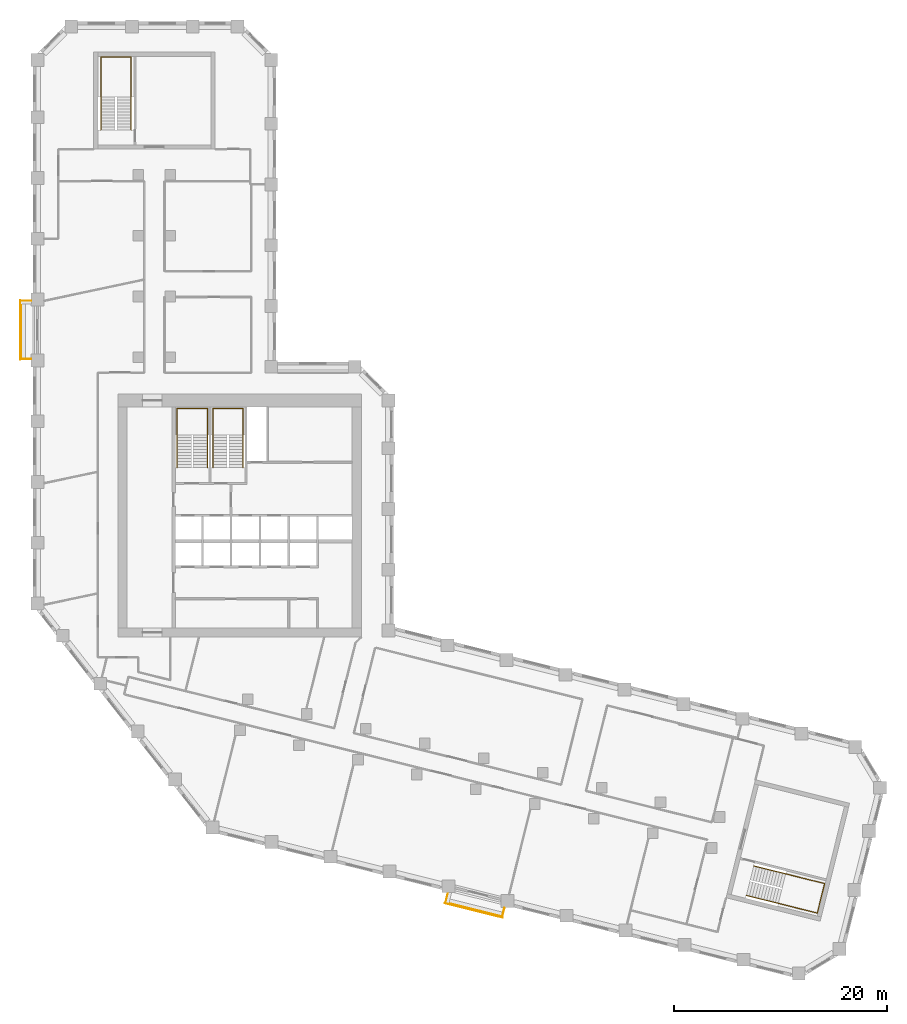
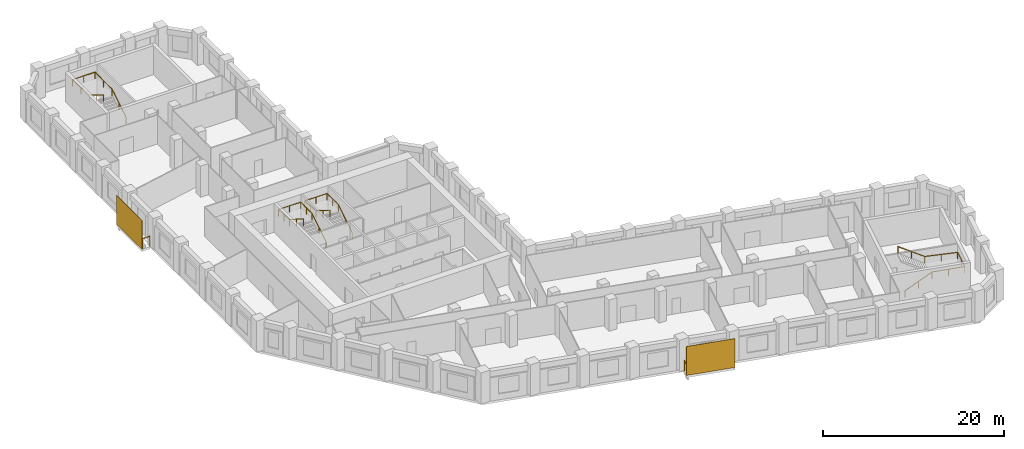
# One storey, part 10 of 10: 6 railings, 2 shading devices.
"""IFC4 building model written with IfcOpenShell, lengths in metres."""

from ifc_helpers import new_model, si_unit, direction, frame, origin, origin_2d, place, context, subcontext, project, spatial, rectangle, circle, extrude, material, layer, layer_set, type_object, element, save


model = new_model("IFC4")

# Units and contexts
model_context = context("Model", 3, precision=1e-05, world=origin(), true_north=direction((0.0, 1.0)))
body_context = subcontext(model_context, "Body", "Model", "MODEL_VIEW")
ifc_project = project(units=[si_unit("LENGTHUNIT", "METRE"), si_unit("AREAUNIT", "SQUARE_METRE"), si_unit("VOLUMEUNIT", "CUBIC_METRE"), si_unit("PLANEANGLEUNIT", "RADIAN"), si_unit("MASSUNIT", "GRAM", prefix="KILO")], contexts=[model_context])

# Site, building, storey
site_placement = place(None, origin())
site = spatial("IfcSite", under=ifc_project, at=site_placement, CompositionType="ELEMENT")
building_placement = place(site_placement, origin())
building = spatial("IfcBuilding", under=site, at=building_placement, Name="Meshkara Civic Tower", CompositionType="ELEMENT")
storey_placement = place(building_placement, frame((0.0, 0.0, 174.0)))
storey = spatial("IfcBuildingStorey", under=building, at=storey_placement, Name="L39", CompositionType="ELEMENT", Elevation=174.0)

# Railings
ifc_material_1 = material(Name="Steel S355", Category="steel")
railing_type_1 = type_object("IfcRailingType", Name="BALUSTRADE GUARD 1400", PredefinedType="BALUSTRADE", material=ifc_material_1)
railing_1_placement = place(storey_placement, frame((-0.14990234375, 45.635009765625, 0.0)))
element("IfcRailing", 1, at=railing_1_placement, inside=storey, type_object=railing_type_1, Name="Balcony guard", PredefinedType="BALUSTRADE", context=body_context, shape_type="SweptSolid", body=[
    extrude(circle(Radius=0.02392578125, at=origin_2d()), frame((0.0, 0.0, 1.3759765625), z_axis=(-1.0, 0.0, 0.0), x_axis=(0.0, -1.0, 0.0)), (0.0, 0.0, 1.0), 0.960205078125),
    extrude(circle(Radius=0.02392578125, at=origin_2d()), frame((-0.960205078125, 0.0, 1.3759765625), z_axis=(0.0, -1.0, 0.0), x_axis=(1.0, 0.0, 0.0)), (0.0, 0.0, 1.0), 5.4599609375),
    extrude(circle(Radius=0.02392578125, at=origin_2d()), frame((-0.960205078125, -5.4599609375, 1.3759765625), z_axis=(1.0, 0.0, 0.0), x_axis=(0.0, 1.0, 0.0)), (0.0, 0.0, 1.0), 0.960205078125),
    extrude(circle(Radius=0.02099609375, at=origin_2d()), origin(), (0.0, 0.0, 1.0), 1.351806640625),
    extrude(circle(Radius=0.02099609375, at=origin_2d()), frame((-0.960205078125, 0.0, 0.0)), (0.0, 0.0, 1.0), 1.351806640625),
    extrude(circle(Radius=0.02099609375, at=origin_2d()), frame((-0.960205078125, -1.092041015625, 0.0)), (0.0, 0.0, 1.0), 1.351806640625),
    extrude(circle(Radius=0.02099609375, at=origin_2d()), frame((-0.960205078125, -2.18408203125, 0.0)), (0.0, 0.0, 1.0), 1.351806640625),
    extrude(circle(Radius=0.02099609375, at=origin_2d()), frame((-0.960205078125, -3.27587890625, 0.0)), (0.0, 0.0, 1.0), 1.351806640625),
    extrude(circle(Radius=0.02099609375, at=origin_2d()), frame((-0.960205078125, -4.367919921875, 0.0)), (0.0, 0.0, 1.0), 1.351806640625),
    extrude(circle(Radius=0.02099609375, at=origin_2d()), frame((-0.960205078125, -5.4599609375, 0.0)), (0.0, 0.0, 1.0), 1.351806640625),
    extrude(circle(Radius=0.02099609375, at=origin_2d()), frame((0.0, -5.4599609375, 0.0)), (0.0, 0.0, 1.0), 1.351806640625),
])
railing_2_placement = place(storey_placement, frame((38.9140625, -9.988037109375, 0.0)))
element("IfcRailing", 2, at=railing_2_placement, inside=storey, type_object=railing_type_1, Name="Balcony guard", PredefinedType="BALUSTRADE", context=body_context, shape_type="SweptSolid", body=[
    extrude(circle(Radius=0.02392578125, at=origin_2d()), frame((0.0, 0.0, 1.3759765625), z_axis=(-0.241638519436, -0.97036633594, 0.0), x_axis=(0.97036633594, -0.241638519436, 0.0)), (0.0, 0.0, 1.0), 0.83251953125),
    extrude(circle(Radius=0.02392578125, at=origin_2d()), frame((-0.201171875, -0.807861328125, 1.3759765625), z_axis=(0.970292231073, -0.24193591366, 0.0), x_axis=(0.24193591366, 0.970292231073, 0.0)), (0.0, 0.0, 1.0), 5.460205078125),
    extrude(circle(Radius=0.02392578125, at=origin_2d()), frame((5.096923828125, -2.12890625, 1.3759765625), z_axis=(0.242466638965, 0.970159744057, 0.0), x_axis=(-0.970159744057, 0.242466638965, 0.0)), (0.0, 0.0, 1.0), 0.832763671875),
    extrude(circle(Radius=0.02099609375, at=origin_2d()), origin(), (0.0, 0.0, 1.0), 1.351806640625),
    extrude(circle(Radius=0.02099609375, at=origin_2d()), frame((-0.201171875, -0.807861328125, 0.0)), (0.0, 0.0, 1.0), 1.351806640625),
    extrude(circle(Radius=0.02099609375, at=origin_2d()), frame((0.8583984375, -1.072021484375, 0.0)), (0.0, 0.0, 1.0), 1.351806640625),
    extrude(circle(Radius=0.02099609375, at=origin_2d()), frame((1.91796875, -1.336181640625, 0.0)), (0.0, 0.0, 1.0), 1.351806640625),
    extrude(circle(Radius=0.02099609375, at=origin_2d()), frame((2.977783203125, -1.6005859375, 0.0)), (0.0, 0.0, 1.0), 1.351806640625),
    extrude(circle(Radius=0.02099609375, at=origin_2d()), frame((4.037353515625, -1.86474609375, 0.0)), (0.0, 0.0, 1.0), 1.351806640625),
    extrude(circle(Radius=0.02099609375, at=origin_2d()), frame((5.096923828125, -2.12890625, 0.0)), (0.0, 0.0, 1.0), 1.351806640625),
    extrude(circle(Radius=0.02099609375, at=origin_2d()), frame((5.298828125, -1.321044921875, 0.0)), (0.0, 0.0, 1.0), 1.351806640625),
])

# Shading devices
ifc_material_2 = material(Name="Perforated bronze anodised aluminium sheet", Category="aluminium")
ifc_layer = layer(ifc_material_2, 0.0400390625)
ifc_layer_set = layer_set([ifc_layer], Name="PERFORATED BRONZE SCREEN")
shading_device_type = type_object("IfcShadingDeviceType", Name="PERFORATED BRONZE SCREEN", PredefinedType="USERDEFINED", material=ifc_layer_set)
for number, where, z_axis, x_axis, name in (
    (3, (-1.179931640625, 42.905029296875, 0.0), (0.0, 0.0, 1.0), (0.0, -1.0, 0.0), "Balcony screen"),
    (4, (41.344970703125, -11.52392578125, 0.0), (0.0, 0.0, 1.0), (0.970299948462, -0.241904960708, 0.0), "Balcony screen"),
):
    element("IfcShadingDevice", number, at=place(storey_placement, frame(where, z_axis=z_axis, x_axis=x_axis)), inside=storey, type_object=shading_device_type, Name=name, ObjectType="SCREEN", PredefinedType="USERDEFINED", context=body_context, shape_type="SweptSolid", body=[
        extrude(rectangle(XDim=5.580078125, YDim=0.0400390625, at=origin_2d()), origin(), (0.0, 0.0, 1.0), 3.89990234375),
    ])

# Railings
ifc_material_3 = material(Name="Steel handrail", Category="steel")
railing_type_2 = type_object("IfcRailingType", Name="Stair handrail 900", PredefinedType="HANDRAIL", material=ifc_material_3)
railing_3_placement = place(storey_placement, frame((16.375, 30.0, 0.175048828125)))
element("IfcRailing", 5, at=railing_3_placement, inside=storey, type_object=railing_type_2, Name="L39 ST1 stair handrail 1", PredefinedType="HANDRAIL", context=body_context, shape_type="SweptSolid", body=[
    extrude(circle(Radius=0.02392578125, at=origin_2d()), frame((0.0, 0.0, 0.8759765625), z_axis=(0.0, 0.847998304005, 0.529998940003), x_axis=(-1.0, 0.0, 0.0)), (0.0, 0.0, 1.0), 3.632080078125),
    extrude(circle(Radius=0.02392578125, at=origin_2d()), frame((0.0, 3.080078125, 2.80078125), z_axis=(0.0, 1.0, 0.0), x_axis=(-1.0, 0.0, 0.0)), (0.0, 0.0, 1.0), 2.469970703125),
    extrude(circle(Radius=0.02392578125, at=origin_2d()), frame((0.0, 5.550048828125, 2.80078125), z_axis=(-1.0, 0.0, 0.0), x_axis=(0.0, -1.0, 0.0)), (0.0, 0.0, 1.0), 2.85009765625),
    extrude(circle(Radius=0.02392578125, at=origin_2d()), frame((-2.85009765625, 5.550048828125, 2.80078125), z_axis=(0.0, -0.997505032726, 0.070595394231), x_axis=(1.0, 0.0, 0.0)), (0.0, 0.0, 1.0), 2.47607421875),
    extrude(circle(Radius=0.02392578125, at=origin_2d()), frame((-2.85009765625, 3.080078125, 2.9755859375), z_axis=(0.0, -0.847998304005, 0.529998940003), x_axis=(1.0, 0.0, 0.0)), (0.0, 0.0, 1.0), 3.632080078125),
    extrude(circle(Radius=0.02099609375, at=origin_2d()), origin(), (0.0, 0.0, 1.0), 0.851806640625),
    extrude(circle(Radius=0.02099609375, at=origin_2d()), frame((0.0, 1.5400390625, 0.96240234375)), (0.0, 0.0, 1.0), 0.851806640625),
    extrude(circle(Radius=0.02099609375, at=origin_2d()), frame((0.0, 3.080078125, 1.925048828125)), (0.0, 0.0, 1.0), 0.851806640625),
    extrude(circle(Radius=0.02099609375, at=origin_2d()), frame((0.0, 4.31494140625, 1.925048828125)), (0.0, 0.0, 1.0), 0.851806640625),
    extrude(circle(Radius=0.02099609375, at=origin_2d()), frame((0.0, 5.550048828125, 1.925048828125)), (0.0, 0.0, 1.0), 0.851806640625),
    extrude(circle(Radius=0.02099609375, at=origin_2d()), frame((-1.425048828125, 5.550048828125, 1.925048828125)), (0.0, 0.0, 1.0), 0.851806640625),
    extrude(circle(Radius=0.02099609375, at=origin_2d()), frame((-2.85009765625, 5.550048828125, 1.925048828125)), (0.0, 0.0, 1.0), 0.851806640625),
    extrude(circle(Radius=0.02099609375, at=origin_2d()), frame((-2.85009765625, 4.31494140625, 2.012451171875)), (0.0, 0.0, 1.0), 0.851806640625),
    extrude(circle(Radius=0.02099609375, at=origin_2d()), frame((-2.85009765625, 3.080078125, 2.099853515625)), (0.0, 0.0, 1.0), 0.851806640625),
    extrude(circle(Radius=0.02099609375, at=origin_2d()), frame((-2.85009765625, 1.5400390625, 3.0625)), (0.0, 0.0, 1.0), 0.851806640625),
    extrude(circle(Radius=0.02099609375, at=origin_2d()), frame((-2.85009765625, 0.0, 4.02490234375)), (0.0, 0.0, 1.0), 0.851806640625),
])
railing_4_placement = place(storey_placement, frame((19.72509765625, 30.0, 0.175048828125)))
element("IfcRailing", 6, at=railing_4_placement, inside=storey, type_object=railing_type_2, Name="L39 ST2 stair handrail 1", PredefinedType="HANDRAIL", context=body_context, shape_type="SweptSolid", body=[
    extrude(circle(Radius=0.02392578125, at=origin_2d()), frame((0.0, 0.0, 0.8759765625), z_axis=(0.0, 0.847998304005, 0.529998940003), x_axis=(-1.0, 0.0, 0.0)), (0.0, 0.0, 1.0), 3.632080078125),
    extrude(circle(Radius=0.02392578125, at=origin_2d()), frame((0.0, 3.080078125, 2.80078125), z_axis=(0.0, 1.0, 0.0), x_axis=(-1.0, 0.0, 0.0)), (0.0, 0.0, 1.0), 2.469970703125),
    extrude(circle(Radius=0.02392578125, at=origin_2d()), frame((0.0, 5.550048828125, 2.80078125), z_axis=(-1.0, 0.0, 0.0), x_axis=(0.0, -1.0, 0.0)), (0.0, 0.0, 1.0), 2.85009765625),
    extrude(circle(Radius=0.02392578125, at=origin_2d()), frame((-2.85009765625, 5.550048828125, 2.80078125), z_axis=(0.0, -0.997505032726, 0.070595394231), x_axis=(1.0, 0.0, 0.0)), (0.0, 0.0, 1.0), 2.47607421875),
    extrude(circle(Radius=0.02392578125, at=origin_2d()), frame((-2.85009765625, 3.080078125, 2.9755859375), z_axis=(0.0, -0.847998304005, 0.529998940003), x_axis=(1.0, 0.0, 0.0)), (0.0, 0.0, 1.0), 3.632080078125),
    extrude(circle(Radius=0.02099609375, at=origin_2d()), origin(), (0.0, 0.0, 1.0), 0.851806640625),
    extrude(circle(Radius=0.02099609375, at=origin_2d()), frame((0.0, 1.5400390625, 0.96240234375)), (0.0, 0.0, 1.0), 0.851806640625),
    extrude(circle(Radius=0.02099609375, at=origin_2d()), frame((0.0, 3.080078125, 1.925048828125)), (0.0, 0.0, 1.0), 0.851806640625),
    extrude(circle(Radius=0.02099609375, at=origin_2d()), frame((0.0, 4.31494140625, 1.925048828125)), (0.0, 0.0, 1.0), 0.851806640625),
    extrude(circle(Radius=0.02099609375, at=origin_2d()), frame((0.0, 5.550048828125, 1.925048828125)), (0.0, 0.0, 1.0), 0.851806640625),
    extrude(circle(Radius=0.02099609375, at=origin_2d()), frame((-1.425048828125, 5.550048828125, 1.925048828125)), (0.0, 0.0, 1.0), 0.851806640625),
    extrude(circle(Radius=0.02099609375, at=origin_2d()), frame((-2.85009765625, 5.550048828125, 1.925048828125)), (0.0, 0.0, 1.0), 0.851806640625),
    extrude(circle(Radius=0.02099609375, at=origin_2d()), frame((-2.85009765625, 4.31494140625, 2.012451171875)), (0.0, 0.0, 1.0), 0.851806640625),
    extrude(circle(Radius=0.02099609375, at=origin_2d()), frame((-2.85009765625, 3.080078125, 2.099853515625)), (0.0, 0.0, 1.0), 0.851806640625),
    extrude(circle(Radius=0.02099609375, at=origin_2d()), frame((-2.85009765625, 1.5400390625, 3.0625)), (0.0, 0.0, 1.0), 0.851806640625),
    extrude(circle(Radius=0.02099609375, at=origin_2d()), frame((-2.85009765625, 0.0, 4.02490234375)), (0.0, 0.0, 1.0), 0.851806640625),
])
railing_5_placement = place(storey_placement, frame((9.22509765625, 61.669921875, 0.175048828125)))
element("IfcRailing", 7, at=railing_5_placement, inside=storey, type_object=railing_type_2, Name="L39 ESA3 stair handrail 1", PredefinedType="HANDRAIL", context=body_context, shape_type="SweptSolid", body=[
    extrude(circle(Radius=0.02392578125, at=origin_2d()), frame((0.0, 0.0, 0.8759765625), z_axis=(0.0, 0.847998304005, 0.529998940003), x_axis=(-1.0, 0.0, 0.0)), (0.0, 0.0, 1.0), 3.632080078125),
    extrude(circle(Radius=0.02392578125, at=origin_2d()), frame((0.0, 3.080078125, 2.80078125), z_axis=(0.0, 1.0, 0.0), x_axis=(-1.0, 0.0, 0.0)), (0.0, 0.0, 1.0), 3.77001953125),
    extrude(circle(Radius=0.02392578125, at=origin_2d()), frame((0.0, 6.85009765625, 2.80078125), z_axis=(-1.0, 0.0, 0.0), x_axis=(0.0, -1.0, 0.0)), (0.0, 0.0, 1.0), 2.85009765625),
    extrude(circle(Radius=0.02392578125, at=origin_2d()), frame((-2.85009765625, 6.85009765625, 2.80078125), z_axis=(0.0, -0.998926778478, 0.046317288783), x_axis=(1.0, 0.0, 0.0)), (0.0, 0.0, 1.0), 3.774169921875),
    extrude(circle(Radius=0.02392578125, at=origin_2d()), frame((-2.85009765625, 3.080078125, 2.9755859375), z_axis=(0.0, -0.847998304005, 0.529998940003), x_axis=(1.0, 0.0, 0.0)), (0.0, 0.0, 1.0), 3.632080078125),
    extrude(circle(Radius=0.02099609375, at=origin_2d()), origin(), (0.0, 0.0, 1.0), 0.851806640625),
    extrude(circle(Radius=0.02099609375, at=origin_2d()), frame((0.0, 1.5400390625, 0.96240234375)), (0.0, 0.0, 1.0), 0.851806640625),
    extrude(circle(Radius=0.02099609375, at=origin_2d()), frame((0.0, 3.080078125, 1.925048828125)), (0.0, 0.0, 1.0), 0.851806640625),
    extrude(circle(Radius=0.02099609375, at=origin_2d()), frame((0.0, 4.965087890625, 1.925048828125)), (0.0, 0.0, 1.0), 0.851806640625),
    extrude(circle(Radius=0.02099609375, at=origin_2d()), frame((0.0, 6.85009765625, 1.925048828125)), (0.0, 0.0, 1.0), 0.851806640625),
    extrude(circle(Radius=0.02099609375, at=origin_2d()), frame((-1.425048828125, 6.85009765625, 1.925048828125)), (0.0, 0.0, 1.0), 0.851806640625),
    extrude(circle(Radius=0.02099609375, at=origin_2d()), frame((-2.85009765625, 6.85009765625, 1.925048828125)), (0.0, 0.0, 1.0), 0.851806640625),
    extrude(circle(Radius=0.02099609375, at=origin_2d()), frame((-2.85009765625, 4.965087890625, 2.012451171875)), (0.0, 0.0, 1.0), 0.851806640625),
    extrude(circle(Radius=0.02099609375, at=origin_2d()), frame((-2.85009765625, 3.080078125, 2.099853515625)), (0.0, 0.0, 1.0), 0.851806640625),
    extrude(circle(Radius=0.02099609375, at=origin_2d()), frame((-2.85009765625, 1.5400390625, 3.0625)), (0.0, 0.0, 1.0), 0.851806640625),
    extrude(circle(Radius=0.02099609375, at=origin_2d()), frame((-2.85009765625, 0.0, 4.02490234375)), (0.0, 0.0, 1.0), 0.851806640625),
])
railing_6_placement = place(storey_placement, frame((66.910888671875, -10.1123046875, 0.175048828125)))
element("IfcRailing", 8, at=railing_6_placement, inside=storey, type_object=railing_type_2, Name="L39 ESB3 stair handrail 1", PredefinedType="HANDRAIL", context=body_context, shape_type="SweptSolid", body=[
    extrude(circle(Radius=0.02392578125, at=origin_2d()), frame((0.0, 0.0, 0.8759765625), z_axis=(0.822816010835, -0.205082235851, 0.530014234575), x_axis=(0.241845469214, 0.970314778317, 0.0)), (0.0, 0.0, 1.0), 3.632080078125),
    extrude(circle(Radius=0.02392578125, at=origin_2d()), frame((2.988525390625, -0.744873046875, 2.80078125), z_axis=(0.970325068916, -0.241804178279, 0.0), x_axis=(0.241804178279, 0.970325068916, 0.0)), (0.0, 0.0, 1.0), 3.77001953125),
    extrude(circle(Radius=0.02392578125, at=origin_2d()), frame((6.646728515625, -1.656494140625, 2.80078125), z_axis=(0.24183009087, 0.970318611153, 0.0), x_axis=(-0.970318611153, 0.24183009087, 0.0)), (0.0, 0.0, 1.0), 2.849853515625),
    extrude(circle(Radius=0.02392578125, at=origin_2d()), frame((7.3359375, 1.10888671875, 2.80078125), z_axis=(-0.969283728514, 0.24154467714, 0.046316547625), x_axis=(-0.241804178279, -0.970325068916, 0.0)), (0.0, 0.0, 1.0), 3.774169921875),
    extrude(circle(Radius=0.02392578125, at=origin_2d()), frame((3.677734375, 2.0205078125, 2.9755859375), z_axis=(-0.822816010835, 0.205082235851, 0.530014234575), x_axis=(-0.241845469214, -0.970314778317, 0.0)), (0.0, 0.0, 1.0), 3.632080078125),
    extrude(circle(Radius=0.02099609375, at=origin_2d()), origin(), (0.0, 0.0, 1.0), 0.851806640625),
    extrude(circle(Radius=0.02099609375, at=origin_2d()), frame((1.494140625, -0.37255859375, 0.96240234375)), (0.0, 0.0, 1.0), 0.851806640625),
    extrude(circle(Radius=0.02099609375, at=origin_2d()), frame((2.988525390625, -0.744873046875, 1.925048828125)), (0.0, 0.0, 1.0), 0.851806640625),
    extrude(circle(Radius=0.02099609375, at=origin_2d()), frame((4.817626953125, -1.20068359375, 1.925048828125)), (0.0, 0.0, 1.0), 0.851806640625),
    extrude(circle(Radius=0.02099609375, at=origin_2d()), frame((6.646728515625, -1.656494140625, 1.925048828125)), (0.0, 0.0, 1.0), 0.851806640625),
    extrude(circle(Radius=0.02099609375, at=origin_2d()), frame((6.9912109375, -0.27392578125, 1.925048828125)), (0.0, 0.0, 1.0), 0.851806640625),
    extrude(circle(Radius=0.02099609375, at=origin_2d()), frame((7.3359375, 1.10888671875, 1.925048828125)), (0.0, 0.0, 1.0), 0.851806640625),
    extrude(circle(Radius=0.02099609375, at=origin_2d()), frame((5.5068359375, 1.564697265625, 2.012451171875)), (0.0, 0.0, 1.0), 0.851806640625),
    extrude(circle(Radius=0.02099609375, at=origin_2d()), frame((3.677734375, 2.0205078125, 2.099853515625)), (0.0, 0.0, 1.0), 0.851806640625),
    extrude(circle(Radius=0.02099609375, at=origin_2d()), frame((2.18359375, 2.39306640625, 3.0625)), (0.0, 0.0, 1.0), 0.851806640625),
    extrude(circle(Radius=0.02099609375, at=origin_2d()), frame((0.689208984375, 2.765380859375, 4.02490234375)), (0.0, 0.0, 1.0), 0.851806640625),
])

save(model, "model.ifc")
